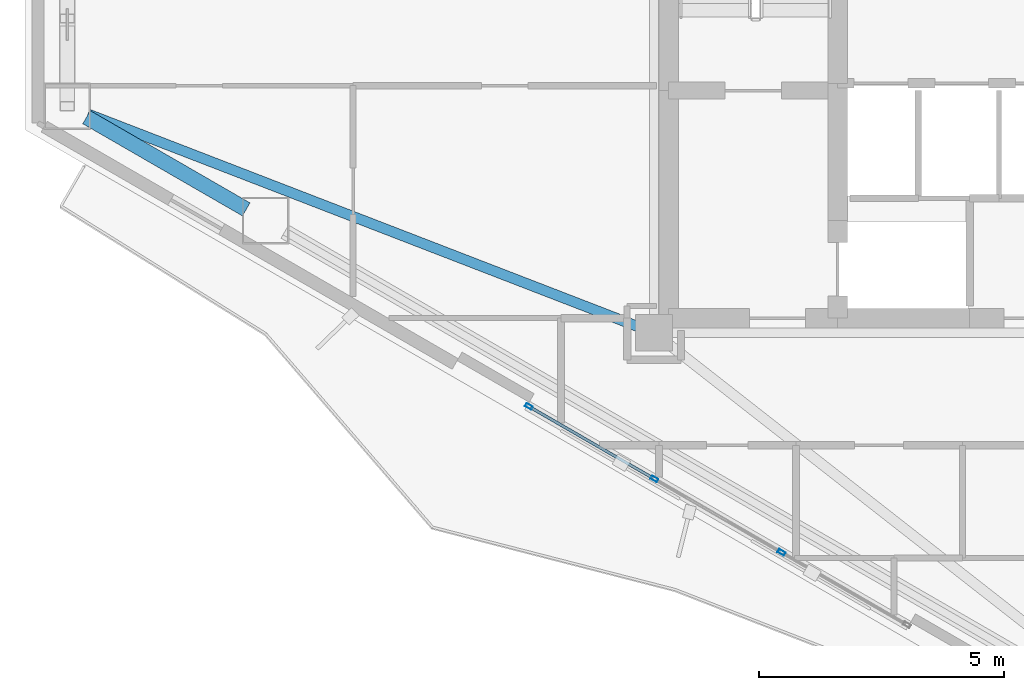
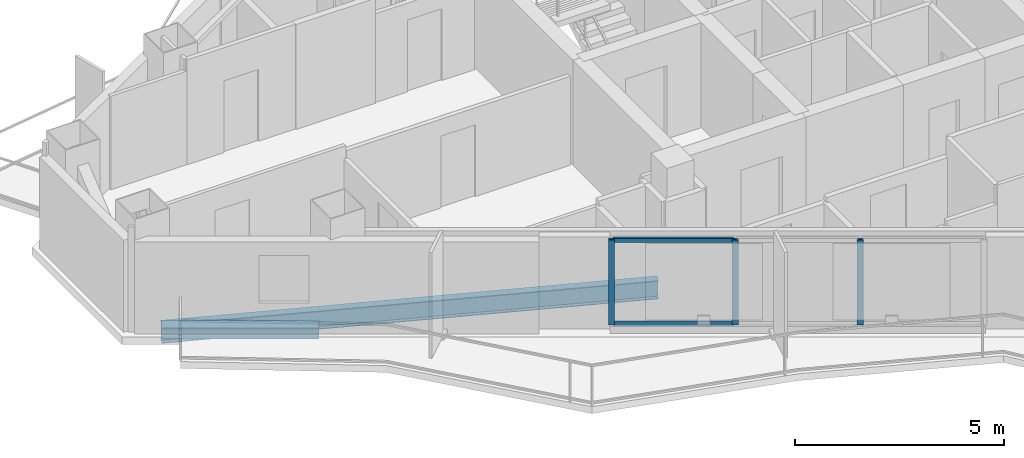
# One storey, part 2 of 21: 5 members, 2 beams, 1 element without a shape of its own.
"""IFC4 building model written with IfcOpenShell, lengths in metres."""

from ifc_helpers import new_model, si_unit, direction, frame, origin, origin_2d, place, context, subcontext, project, spatial, hollow_rectangle, i_section, extrude, material, layer, layer_set, material_profile, profile_set, type_object, element, aggregate, save


model = new_model("IFC4")

# Units and contexts
model_context = context("Model", 3, precision=1e-05, world=origin(), true_north=direction((0.0, 1.0)))
body_context = subcontext(model_context, "Body", "Model", "MODEL_VIEW")
ifc_project = project(units=[si_unit("LENGTHUNIT", "METRE"), si_unit("AREAUNIT", "SQUARE_METRE"), si_unit("VOLUMEUNIT", "CUBIC_METRE"), si_unit("PLANEANGLEUNIT", "RADIAN"), si_unit("MASSUNIT", "GRAM", prefix="KILO")], contexts=[model_context])

# Site, building, storey
site_placement = place(None, origin())
site = spatial("IfcSite", under=ifc_project, at=site_placement, CompositionType="ELEMENT")
building_placement = place(site_placement, origin())
building = spatial("IfcBuilding", under=site, at=building_placement, Name="Mersakhor Tower and Convention Hall", CompositionType="ELEMENT")
storey_placement = place(building_placement, frame((0.0, 0.0, 185.39990234375)))
storey = spatial("IfcBuildingStorey", under=building, at=storey_placement, Name="L51", CompositionType="ELEMENT", Elevation=185.39990234375)

# Beams
ifc_material_1 = material(Name="Steel S355", Category="steel")
ifc_material_profile_1 = material_profile(ifc_material_1, i_section(OverallWidth=0.2099609375, OverallDepth=0.53662109375, WebThickness=0.0107421875, FlangeThickness=0.017333984375, at=origin_2d()), Name="UB 533x210x101")
ifc_profile_set_1 = profile_set([ifc_material_profile_1], Name="Steel S355")
beam_type_1 = type_object("IfcBeamType", Name="BM-FB-533", PredefinedType="BEAM", material=ifc_profile_set_1)
beam_1_placement = place(storey_placement, frame((21.56884765625, 20.577880859375, -0.498291015625), z_axis=(-0.93276514993, 0.360484639167, 0.0), x_axis=(-0.360484639167, -0.93276514993, 0.0)))
element("IfcBeam", 1, at=beam_1_placement, inside=storey, type_object=beam_type_1, Name="L51 Primary Floor Girder FG-6", PredefinedType="BEAM", context=body_context, shape_type="SweptSolid", body=[
    extrude(i_section(OverallWidth=0.2099609375, OverallDepth=0.53662109375, WebThickness=0.0107421875, FlangeThickness=0.017333984375, at=origin_2d()), origin(), (0.0, 0.0, 1.0), 12.047119140625),
])
ifc_material_2 = material(Name="Steel S355", Category="steel")
ifc_material_profile_2 = material_profile(ifc_material_2, i_section(OverallWidth=0.30908203125, OverallDepth=0.320556640625, WebThickness=0.013916015625, FlangeThickness=0.021728515625, at=origin_2d()), Name="UC 305x305x137")
ifc_profile_set_2 = profile_set([ifc_material_profile_2], Name="Steel S355")
beam_type_2 = type_object("IfcBeamType", Name="BM-SPD-UC305", PredefinedType="SPANDREL", material=ifc_profile_set_2)
beam_2_placement = place(storey_placement, frame((13.56591796875, 22.97265625, -0.39013671875), z_axis=(-0.866046450459, 0.499963544319, 0.0), x_axis=(-0.499963544319, -0.866046450459, 0.0)))
element("IfcBeam", 2, at=beam_2_placement, inside=storey, type_object=beam_type_2, Name="L51 Perimeter Spandrel Beam SPB-11", PredefinedType="SPANDREL", context=body_context, shape_type="SweptSolid", body=[
    extrude(i_section(OverallWidth=0.30908203125, OverallDepth=0.320556640625, WebThickness=0.013916015625, FlangeThickness=0.021728515625, at=origin_2d()), origin(), (0.0, 0.0, 1.0), 3.769287109375),
])

# Curtain wall, members
ifc_material_3 = material(Name="Dark solar low-E aluminium curtain wall", Category="aluminium")
ifc_layer = layer(ifc_material_3, 0.169921875)
ifc_layer_set = layer_set([ifc_layer], Name="Dark solar low-E aluminium curtain wall")
curtain_wall_type = type_object("IfcCurtainWallType", Name="CW-SYS-02", PredefinedType="USERDEFINED", material=ifc_layer_set)
curtain_wall_placement = place(storey_placement, origin())
curtain_wall = element("IfcCurtainWall", 3, at=curtain_wall_placement, inside=storey, type_object=curtain_wall_type, Name="L51 Dark-Glass Curtain Wall F3-B2", ObjectType="CURTAIN WALL", PredefinedType="USERDEFINED")
ifc_material_4 = material(Name="Anodised aluminium EN AW-6063 T6", Category="aluminium")
ifc_material_profile_3 = material_profile(ifc_material_4, hollow_rectangle(XDim=0.074951171875, YDim=0.14990234375, WallThickness=0.00634765625, at=origin_2d()), Name="RHS 150x75x6.3")
ifc_profile_set_3 = profile_set([ifc_material_profile_3], Name="Anodised aluminium EN AW-6063 T6")
member_type_1 = type_object("IfcMemberType", Name="CWM-150x75", PredefinedType="MULLION", material=ifc_profile_set_3)
member_1_placement = place(storey_placement, frame((24.504638671875, 15.964111328125, 0.2001953125), z_axis=(0.0, 0.0, 1.0), x_axis=(-0.500007824483, -0.86602088627, 0.0)))
member_1 = element("IfcMember", 4, at=member_1_placement, type_object=member_type_1, Name="CW-02 mullion 2", PredefinedType="MULLION", context=body_context, shape_type="SweptSolid", body=[
    extrude(hollow_rectangle(XDim=0.074951171875, YDim=0.14990234375, WallThickness=0.00634765625, at=origin_2d()), origin(), (0.0, 0.0, 1.0), 2.489990234375),
])
member_2_placement = place(storey_placement, frame((21.906982421875, 17.464111328125, 0.2001953125), z_axis=(0.0, 0.0, 1.0), x_axis=(-0.500007824483, -0.86602088627, 0.0)))
member_2 = element("IfcMember", 5, at=member_2_placement, type_object=member_type_1, Name="CW-02 mullion 3", PredefinedType="MULLION", context=body_context, shape_type="SweptSolid", body=[
    extrude(hollow_rectangle(XDim=0.074951171875, YDim=0.14990234375, WallThickness=0.00634765625, at=origin_2d()), origin(), (0.0, 0.0, 1.0), 2.489990234375),
])
member_3_placement = place(storey_placement, frame((19.341796875, 18.945068359375, 0.2001953125), z_axis=(0.0, 0.0, 1.0), x_axis=(-0.500007824483, -0.86602088627, 0.0)))
member_3 = element("IfcMember", 6, at=member_3_placement, type_object=member_type_1, Name="CW-02 mullion 4", PredefinedType="MULLION", context=body_context, shape_type="SweptSolid", body=[
    extrude(hollow_rectangle(XDim=0.074951171875, YDim=0.14990234375, WallThickness=0.00634765625, at=origin_2d()), origin(), (0.0, 0.0, 1.0), 2.489990234375),
])
ifc_material_5 = material(Name="Anodised aluminium EN AW-6063 T6", Category="aluminium")
ifc_material_profile_4 = material_profile(ifc_material_5, hollow_rectangle(XDim=0.06005859375, YDim=0.1201171875, WallThickness=0.0048828125, at=origin_2d()), Name="RHS 120x60x5")
ifc_profile_set_4 = profile_set([ifc_material_profile_4], Name="Anodised aluminium EN AW-6063 T6")
member_type_2 = type_object("IfcMemberType", Name="CWT-120x60", PredefinedType="USERDEFINED", material=ifc_profile_set_4)
member_4_placement = place(storey_placement, frame((21.87451171875, 17.48291015625, 0.22998046875), z_axis=(-0.86601237176, 0.50002257145, 0.0), x_axis=(-0.50002257145, -0.86601237176, 0.0)))
member_4 = element("IfcMember", 7, at=member_4_placement, type_object=member_type_2, Name="CW-02 transom 3.1", ObjectType="TRANSOM", PredefinedType="USERDEFINED", context=body_context, shape_type="SweptSolid", body=[
    extrude(hollow_rectangle(XDim=0.06005859375, YDim=0.1201171875, WallThickness=0.0048828125, at=origin_2d()), origin(), (0.0, 0.0, 1.0), 2.886962890625),
])
member_5_placement = place(storey_placement, frame((21.87451171875, 17.48291015625, 2.66015625), z_axis=(-0.86601237176, 0.50002257145, 0.0), x_axis=(-0.50002257145, -0.86601237176, 0.0)))
member_5 = element("IfcMember", 8, at=member_5_placement, type_object=member_type_2, Name="CW-02 transom 3.2", ObjectType="TRANSOM", PredefinedType="USERDEFINED", context=body_context, shape_type="SweptSolid", body=[
    extrude(hollow_rectangle(XDim=0.06005859375, YDim=0.1201171875, WallThickness=0.0048828125, at=origin_2d()), origin(), (0.0, 0.0, 1.0), 2.886962890625),
])
aggregate(curtain_wall, [member_1, member_2, member_3, member_4, member_5])

save(model, "model.ifc")
